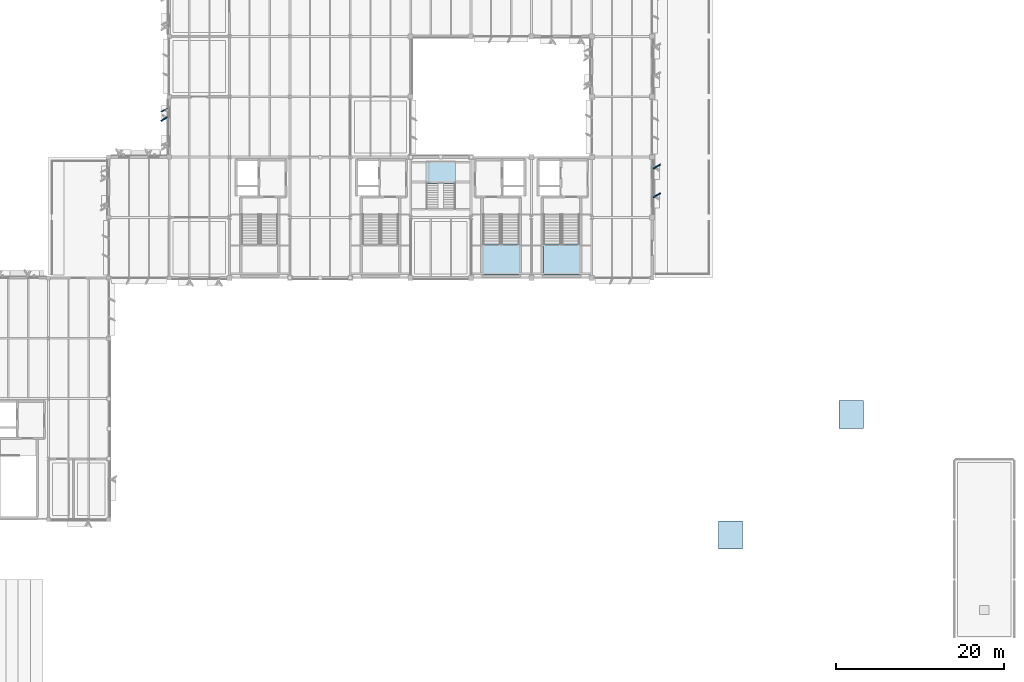
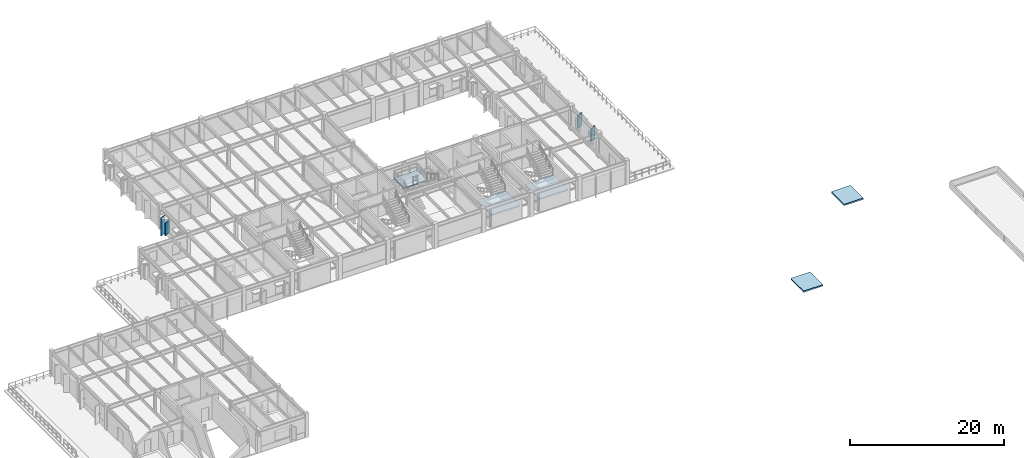
# One storey, part 9 of 35: 5 slabs, 4 plates, 3 elements without a shape of their own.
"""IFC4 building model written with IfcOpenShell, lengths in metres."""

from ifc_helpers import new_model, si_unit, direction, frame, origin, origin_2d, place, context, subcontext, project, spatial, polyline, rectangle, outline, extrude, material, layer, layer_set, type_object, element, aggregate, save


model = new_model("IFC4")

# Units and contexts
model_context = context("Model", 3, precision=1e-05, world=origin(), true_north=direction((0.0, 1.0)))
body_context = subcontext(model_context, "Body", "Model", "MODEL_VIEW")
ifc_project = project(units=[si_unit("LENGTHUNIT", "METRE"), si_unit("AREAUNIT", "SQUARE_METRE"), si_unit("VOLUMEUNIT", "CUBIC_METRE"), si_unit("PLANEANGLEUNIT", "RADIAN"), si_unit("MASSUNIT", "GRAM", prefix="KILO")], contexts=[model_context])

# Site, building, storey
site_placement = place(None, origin())
site = spatial("IfcSite", under=ifc_project, at=site_placement, CompositionType="ELEMENT")
building_placement = place(site_placement, origin())
building = spatial("IfcBuilding", under=site, at=building_placement, Name="Sillqori Civic Hall", CompositionType="ELEMENT")
storey_placement = place(building_placement, frame((0.0, 0.0, 18.0)))
storey = spatial("IfcBuildingStorey", under=building, at=storey_placement, Name="L05", CompositionType="ELEMENT", Elevation=18.0)

# Plates
ifc_material_1 = material(Name="Precast concrete C40/50 (H40)", Category="concrete")
ifc_layer_1 = layer(ifc_material_1, 0.159912109375)
ifc_layer_set_1 = layer_set([ifc_layer_1], Name="Precast concrete C40/50 (H40)")
plate_type_1 = type_object("IfcPlateType", Name="FIN-WEST-350", PredefinedType="USERDEFINED", material=ifc_layer_set_1)
plate_placement = place(storey_placement, frame((42.635009765625, 99.2099609375, 0.14990234375), z_axis=(0.0, 0.0, 1.0), x_axis=(-0.422618261741, 0.906307787037, 0.0)))
element("IfcPlate", 1, at=plate_placement, inside=storey, type_object=plate_type_1, Name="L05 west brise-soleil fin L05-06-13-W.2", ObjectType="SOLAR_FIN", PredefinedType="USERDEFINED", context=body_context, shape_type="SweptSolid", body=[
    extrude(rectangle(XDim=0.090087890625, YDim=0.8798828125, at=origin_2d()), origin(), (0.0, 0.0, 1.0), 2.8720703125),
])
ifc_layer_2 = layer(ifc_material_1, 0.159912109375)
ifc_layer_set_2 = layer_set([ifc_layer_2], Name="Precast concrete C40/50 (H40)")
plate_type_2 = type_object("IfcPlateType", Name="REV-SAW-200", PredefinedType="USERDEFINED", material=ifc_layer_set_2)
for number, where, z_axis, x_axis, name in (
    (2, (42.639892578125, 98.156982421875, 0.875), (0.0, 0.0, 1.0), (-0.5, 0.866025403784, 0.0), "Sawtooth stone window reveal L05-06-13-W.2"),
    (3, (101.360107421875, 92.47607421875, 0.800048828125), (0.0, 0.0, 1.0), (0.5, -0.866025403784, 0.0), "Sawtooth stone window reveal L05-13-12-E.1"),
    (4, (101.360107421875, 89.0439453125, 0.800048828125), (0.0, 0.0, 1.0), (0.5, -0.866025403784, 0.0), "Sawtooth stone window reveal L05-13-12-E.2"),
):
    element("IfcPlate", number, at=place(storey_placement, frame(where, z_axis=z_axis, x_axis=x_axis)), inside=storey, type_object=plate_type_2, Name=name, ObjectType="REVEAL_PANEL", PredefinedType="USERDEFINED", context=body_context, shape_type="SweptSolid", body=[
        extrude(rectangle(XDim=0.159912109375, YDim=0.97998046875, at=origin_2d()), origin(), (0.0, 0.0, 1.0), 2.0),
    ])

# Stair, slab
ifc_material_2 = material(Name="Concrete C35/45 (H35)", Category="concrete")
stair_type_1 = type_object("IfcStairType", Name="STR-CORE-07", PredefinedType="DOUBLE_RETURN_STAIR", material=ifc_material_2)
stair_1_placement = place(storey_placement, origin())
stair_1 = element("IfcStair", 5, at=stair_1_placement, inside=storey, type_object=stair_type_1, Name="L05 Core exit stair ST-07", PredefinedType="DOUBLE_RETURN_STAIR")
ifc_layer_3 = layer(ifc_material_2, 0.199951171875)
ifc_layer_set_3 = layer_set([ifc_layer_3], Name="Concrete C35/45 (H35)")
slab_type_1 = type_object("IfcSlabType", Name="SLB-LND-220", PredefinedType="LANDING", material=ifc_layer_set_3)
slab_1_placement = place(storey_placement, frame((0.0, 0.0, 1.75)))
slab_1 = element("IfcSlab", 6, at=slab_1_placement, type_object=slab_type_1, Name="ST-07 landing 1", PredefinedType="LANDING", context=body_context, shape_type="SweptSolid", body=[
    extrude(outline(polyline([(80.625, 83.25), (80.625, 79.514892578125), (84.97509765625, 79.514892578125), (84.97509765625, 83.25), (80.625, 83.25)])), origin(), (0.0, 0.0, 1.0), 0.199951171875),
])
aggregate(stair_1, [slab_1])

stair_type_2 = type_object("IfcStairType", Name="STR-CORE-08", PredefinedType="DOUBLE_RETURN_STAIR", material=ifc_material_2)
stair_2_placement = place(storey_placement, origin())
stair_2 = element("IfcStair", 7, at=stair_2_placement, inside=storey, type_object=stair_type_2, Name="L05 Core exit stair ST-08", PredefinedType="DOUBLE_RETURN_STAIR")
slab_2_placement = place(storey_placement, frame((0.0, 0.0, 1.75)))
slab_2 = element("IfcSlab", 8, at=slab_2_placement, type_object=slab_type_1, Name="ST-08 landing 1", PredefinedType="LANDING", context=body_context, shape_type="SweptSolid", body=[
    extrude(outline(polyline([(87.824951171875, 83.25), (87.824951171875, 79.514892578125), (92.175048828125, 79.514892578125), (92.175048828125, 83.25), (87.824951171875, 83.25)])), origin(), (0.0, 0.0, 1.0), 0.199951171875),
])
aggregate(stair_2, [slab_2])

ifc_material_3 = material(Name="Steel ASTM A992 and Honed Limestone Treads", Category="masonry")
stair_type_3 = type_object("IfcStairType", Name="STR-MON-390", PredefinedType="STRAIGHT_RUN_STAIR", material=ifc_material_3)
stair_3_placement = place(storey_placement, origin())
stair_3 = element("IfcStair", 9, at=stair_3_placement, inside=storey, type_object=stair_type_3, Name="Mayoral Courtyard Stair L05-L06", PredefinedType="STRAIGHT_RUN_STAIR")
ifc_layer_4 = layer(ifc_material_2, 0.199951171875)
ifc_layer_set_4 = layer_set([ifc_layer_4], Name="Concrete C35/45 (H35)")
slab_type_2 = type_object("IfcSlabType", Name="SLB-MLND-200", PredefinedType="LANDING", material=ifc_layer_set_4)
slab_3_placement = place(storey_placement, frame((0.0, 0.0, 1.75)))
slab_3 = element("IfcSlab", 10, at=slab_3_placement, type_object=slab_type_2, Name="MS-18 landing 1", PredefinedType="LANDING", context=body_context, shape_type="SweptSolid", body=[
    extrude(outline(polyline([(73.840087890625, 90.47998046875), (77.360107421875, 90.47998046875), (77.360107421875, 93.1298828125), (73.840087890625, 93.1298828125), (73.840087890625, 90.47998046875)])), origin(), (0.0, 0.0, 1.0), 0.199951171875),
])
aggregate(stair_3, [slab_3])

# Slabs
ifc_layer_5 = layer(ifc_material_2, 0.219970703125)
ifc_layer_set_5 = layer_set([ifc_layer_5], Name="Concrete C35/45 (H35)")
slab_type_3 = type_object("IfcSlabType", Name="SLB-OVR-220", PredefinedType="ROOF", material=ifc_layer_set_5)
slab_4_placement = place(storey_placement, frame((0.0, 0.0, -0.419921875)))
element("IfcSlab", 11, at=slab_4_placement, inside=storey, type_object=slab_type_3, Name="Lift shaft overrun slab LF-08", PredefinedType="ROOF", context=body_context, shape_type="SweptSolid", body=[
    extrude(outline(polyline([(123.10009765625, 61.25), (126.0, 61.25), (126.0, 64.60009765625), (123.10009765625, 64.60009765625), (123.10009765625, 61.25)])), origin(), (0.0, 0.0, 1.0), 0.219970703125),
])
slab_5_placement = place(storey_placement, frame((0.0, 0.0, -0.419921875)))
element("IfcSlab", 12, at=slab_5_placement, inside=storey, type_object=slab_type_3, Name="Lift shaft overrun slab LF-05", PredefinedType="ROOF", context=body_context, shape_type="SweptSolid", body=[
    extrude(outline(polyline([(108.699951171875, 46.85009765625), (111.60009765625, 46.85009765625), (111.60009765625, 50.199951171875), (108.699951171875, 50.199951171875), (108.699951171875, 46.85009765625)])), origin(), (0.0, 0.0, 1.0), 0.219970703125),
])

save(model, "model.ifc")
